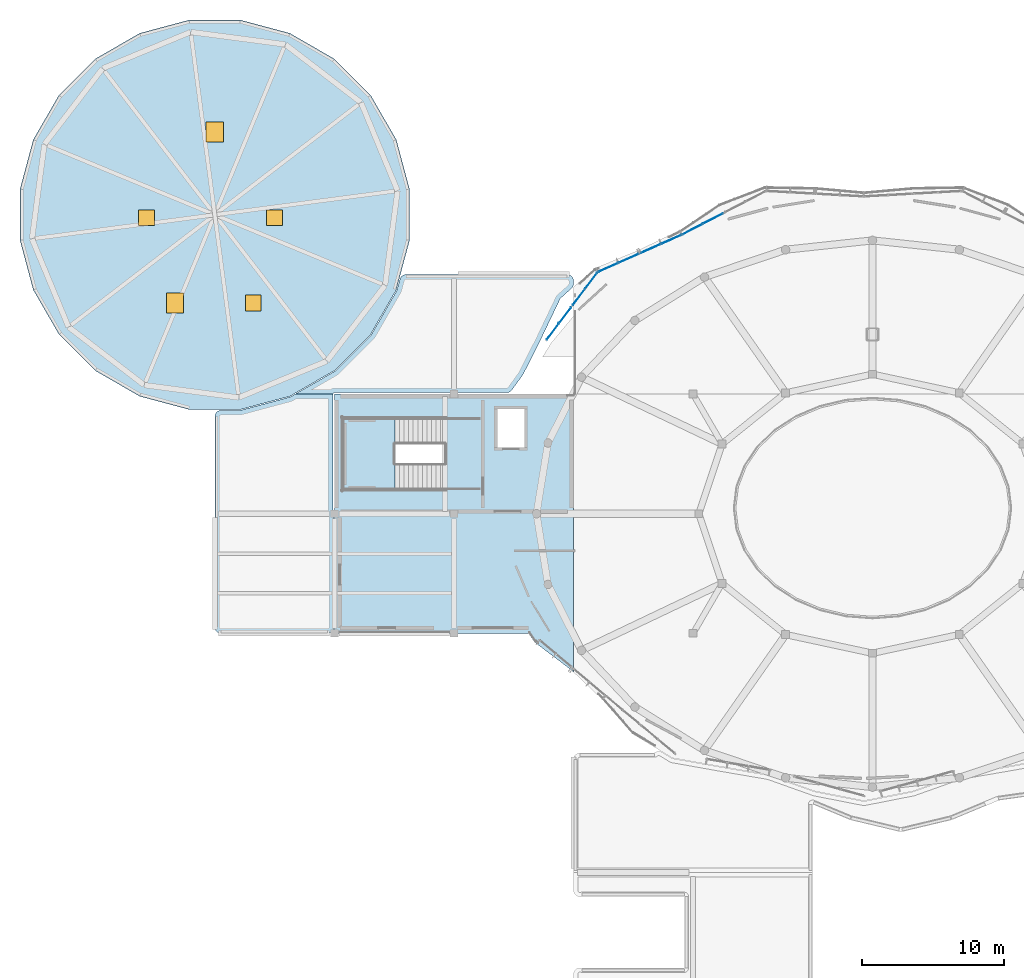
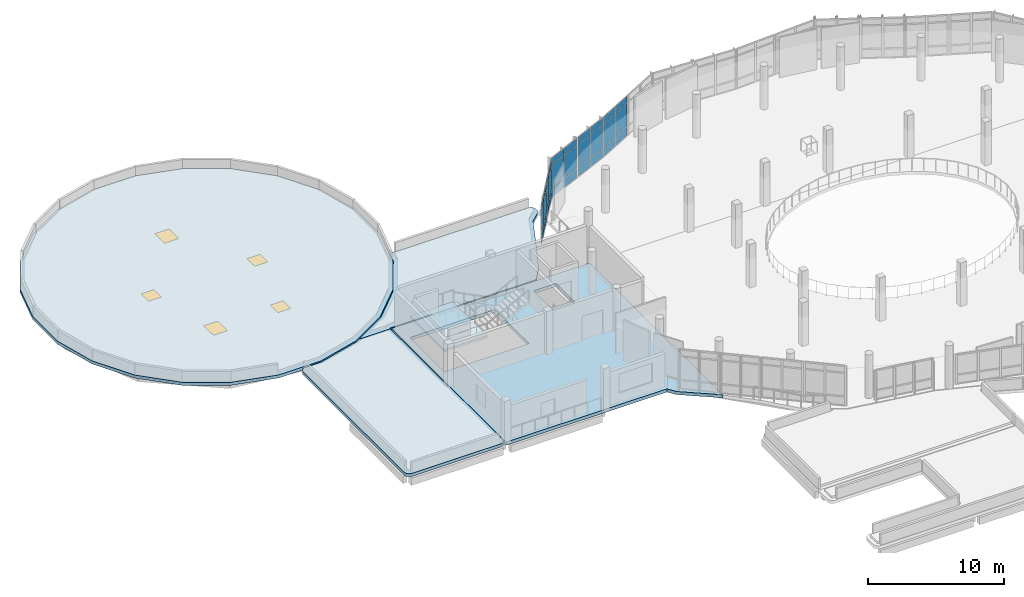
# One storey, part 51 of 74: 30 plates, 5 doors, 5 slabs, 5 openings, 6 elements without a shape of their own.
"""IFC4 building model written with IfcOpenShell, lengths in metres."""

from ifc_helpers import new_model, si_unit, derived_unit, direction, frame, origin, origin_2d, place, context, subcontext, project, spatial, polyline, rectangle, outline, extrude, material, layer, layer_set, type_object, element, fill, aggregate, save


model = new_model("IFC4")

# Units and contexts
model_context = context("Model", 3, precision=1e-05, world=origin(), true_north=direction((0.0, 1.0)))
body_context = subcontext(model_context, "Body", "Model", "MODEL_VIEW")
ifc_project = project(units=[si_unit("LENGTHUNIT", "METRE"), si_unit("AREAUNIT", "SQUARE_METRE"), si_unit("VOLUMEUNIT", "CUBIC_METRE"), si_unit("PLANEANGLEUNIT", "RADIAN"), si_unit("MASSUNIT", "GRAM", prefix="KILO"), derived_unit("THERMALTRANSMITTANCEUNIT", [(si_unit("POWERUNIT", "WATT"), 1), (si_unit("LENGTHUNIT", "METRE"), -2), (si_unit("THERMODYNAMICTEMPERATUREUNIT", "KELVIN"), -1)])], contexts=[model_context])

# Site, building, storey
site_placement = place(None, origin())
site = spatial("IfcSite", under=ifc_project, at=site_placement, CompositionType="ELEMENT")
building_placement = place(site_placement, origin())
building = spatial("IfcBuilding", under=site, at=building_placement, Name="Elbkamm Science Centre", CompositionType="ELEMENT")
storey_placement = place(building_placement, frame((0.0, 0.0, 14.39990234375)))
storey = spatial("IfcBuildingStorey", under=building, at=storey_placement, Name="L03", CompositionType="ELEMENT", Elevation=14.39990234375)

# Curtain wall, plates
ifc_material_1 = material(Name="Powder-coated aluminium and triple low-E glazing", Category="aluminium")
ifc_layer_1 = layer(ifc_material_1, 0.159912109375)
ifc_layer_set_1 = layer_set([ifc_layer_1], Name="Powder-coated aluminium and triple low-E glazing")
curtain_wall_type_1 = type_object("IfcCurtainWallType", Name="CW-UNIT-3280x3620", PredefinedType="USERDEFINED", material=ifc_layer_set_1)
curtain_wall_1_placement = place(storey_placement, origin())
curtain_wall_1 = element("IfcCurtainWall", 1, at=curtain_wall_1_placement, inside=storey, type_object=curtain_wall_type_1, Name="L03 Unitised Curtain Wall 060", ObjectType="UNITISED CURTAIN WALL", PredefinedType="USERDEFINED")
ifc_material_2 = material(Name="Triple solar-control insulated safety glass", Category="glass")
ifc_layer_2 = layer(ifc_material_2, 0.0400390625)
ifc_layer_set_2 = layer_set([ifc_layer_2], Name="Triple solar-control insulated safety glass")
plate_type = type_object("IfcPlateType", Name="CW-PNL-40", PredefinedType="CURTAIN_PANEL", material=ifc_layer_set_2)
plate_1_placement = place(storey_placement, frame((51.7919921875, 87.929931640625, 0.06005859375), z_axis=(0.0, 0.0, 1.0), x_axis=(-0.887363474835, -0.461070562419, 0.0)))
plate_1 = element("IfcPlate", 2, at=plate_1_placement, type_object=plate_type, Name="CW-024 panel 1.1", PredefinedType="CURTAIN_PANEL", context=body_context, shape_type="SweptSolid", body=[
    extrude(rectangle(XDim=1.550537109375, YDim=0.0400390625, at=origin_2d()), origin(), (0.0, 0.0, 1.0), 0.760009765625),
])
plate_2_placement = place(storey_placement, frame((51.7919921875, 87.929931640625, 0.880126953125), z_axis=(0.0, 0.0, 1.0), x_axis=(-0.887363474835, -0.461070562419, 0.0)))
plate_2 = element("IfcPlate", 3, at=plate_2_placement, type_object=plate_type, Name="CW-024 panel 1.2", PredefinedType="CURTAIN_PANEL", context=body_context, shape_type="SweptSolid", body=[
    extrude(rectangle(XDim=1.550537109375, YDim=0.0400390625, at=origin_2d()), origin(), (0.0, 0.0, 1.0), 2.06005859375),
])
plate_3_placement = place(storey_placement, frame((51.7919921875, 87.929931640625, 3.0), z_axis=(0.0, 0.0, 1.0), x_axis=(-0.887363474835, -0.461070562419, 0.0)))
plate_3 = element("IfcPlate", 4, at=plate_3_placement, type_object=plate_type, Name="CW-024 panel 1.3", PredefinedType="CURTAIN_PANEL", context=body_context, shape_type="SweptSolid", body=[
    extrude(rectangle(XDim=1.550537109375, YDim=0.0400390625, at=origin_2d()), origin(), (0.0, 0.0, 1.0), 0.56005859375),
])
plate_4_placement = place(storey_placement, frame((50.363037109375, 87.1875, 0.06005859375), z_axis=(0.0, 0.0, 1.0), x_axis=(-0.887363474835, -0.461070562419, 0.0)))
plate_4 = element("IfcPlate", 5, at=plate_4_placement, type_object=plate_type, Name="CW-024 panel 2.1", PredefinedType="CURTAIN_PANEL", context=body_context, shape_type="SweptSolid", body=[
    extrude(rectangle(XDim=1.550537109375, YDim=0.0400390625, at=origin_2d()), origin(), (0.0, 0.0, 1.0), 0.760009765625),
])
plate_5_placement = place(storey_placement, frame((50.363037109375, 87.1875, 0.880126953125), z_axis=(0.0, 0.0, 1.0), x_axis=(-0.887363474835, -0.461070562419, 0.0)))
plate_5 = element("IfcPlate", 6, at=plate_5_placement, type_object=plate_type, Name="CW-024 panel 2.2", PredefinedType="CURTAIN_PANEL", context=body_context, shape_type="SweptSolid", body=[
    extrude(rectangle(XDim=1.550537109375, YDim=0.0400390625, at=origin_2d()), origin(), (0.0, 0.0, 1.0), 2.06005859375),
])
plate_6_placement = place(storey_placement, frame((50.363037109375, 87.1875, 3.0), z_axis=(0.0, 0.0, 1.0), x_axis=(-0.887363474835, -0.461070562419, 0.0)))
plate_6 = element("IfcPlate", 7, at=plate_6_placement, type_object=plate_type, Name="CW-024 panel 2.3", PredefinedType="CURTAIN_PANEL", context=body_context, shape_type="SweptSolid", body=[
    extrude(rectangle(XDim=1.550537109375, YDim=0.0400390625, at=origin_2d()), origin(), (0.0, 0.0, 1.0), 0.56005859375),
])
aggregate(curtain_wall_1, [plate_1, plate_2, plate_3, plate_4, plate_5, plate_6])

ifc_layer_3 = layer(ifc_material_1, 0.159912109375)
ifc_layer_set_3 = layer_set([ifc_layer_3], Name="Powder-coated aluminium and triple low-E glazing")
curtain_wall_type_2 = type_object("IfcCurtainWallType", Name="CW-UNIT-3200x3620", PredefinedType="USERDEFINED", material=ifc_layer_set_3)
curtain_wall_2_placement = place(storey_placement, origin())
curtain_wall_2 = element("IfcCurtainWall", 8, at=curtain_wall_2_placement, inside=storey, type_object=curtain_wall_type_2, Name="L03 Unitised Curtain Wall 061", ObjectType="UNITISED CURTAIN WALL", PredefinedType="USERDEFINED")
plate_7_placement = place(storey_placement, frame((48.87646484375, 86.47119140625, 0.06005859375), z_axis=(0.0, 0.0, 1.0), x_axis=(-0.913897796614, -0.405944352522, 0.0)))
plate_7 = element("IfcPlate", 9, at=plate_7_placement, type_object=plate_type, Name="CW-023 panel 1.1", PredefinedType="CURTAIN_PANEL", context=body_context, shape_type="SweptSolid", body=[
    extrude(rectangle(XDim=1.51123046875, YDim=0.0400390625, at=origin_2d()), origin(), (0.0, 0.0, 1.0), 0.760009765625),
])
plate_8_placement = place(storey_placement, frame((48.87646484375, 86.47119140625, 0.880126953125), z_axis=(0.0, 0.0, 1.0), x_axis=(-0.913897796614, -0.405944352522, 0.0)))
plate_8 = element("IfcPlate", 10, at=plate_8_placement, type_object=plate_type, Name="CW-023 panel 1.2", PredefinedType="CURTAIN_PANEL", context=body_context, shape_type="SweptSolid", body=[
    extrude(rectangle(XDim=1.51123046875, YDim=0.0400390625, at=origin_2d()), origin(), (0.0, 0.0, 1.0), 2.06005859375),
])
plate_9_placement = place(storey_placement, frame((48.87646484375, 86.47119140625, 3.0), z_axis=(0.0, 0.0, 1.0), x_axis=(-0.913897796614, -0.405944352522, 0.0)))
plate_9 = element("IfcPlate", 11, at=plate_9_placement, type_object=plate_type, Name="CW-023 panel 1.3", PredefinedType="CURTAIN_PANEL", context=body_context, shape_type="SweptSolid", body=[
    extrude(rectangle(XDim=1.51123046875, YDim=0.0400390625, at=origin_2d()), origin(), (0.0, 0.0, 1.0), 0.56005859375),
])
plate_10_placement = place(storey_placement, frame((47.4404296875, 85.833251953125, 0.06005859375), z_axis=(0.0, 0.0, 1.0), x_axis=(-0.913897796614, -0.405944352522, 0.0)))
plate_10 = element("IfcPlate", 12, at=plate_10_placement, type_object=plate_type, Name="CW-023 panel 2.1", PredefinedType="CURTAIN_PANEL", context=body_context, shape_type="SweptSolid", body=[
    extrude(rectangle(XDim=1.51123046875, YDim=0.0400390625, at=origin_2d()), origin(), (0.0, 0.0, 1.0), 0.760009765625),
])
plate_11_placement = place(storey_placement, frame((47.4404296875, 85.833251953125, 0.880126953125), z_axis=(0.0, 0.0, 1.0), x_axis=(-0.913897796614, -0.405944352522, 0.0)))
plate_11 = element("IfcPlate", 13, at=plate_11_placement, type_object=plate_type, Name="CW-023 panel 2.2", PredefinedType="CURTAIN_PANEL", context=body_context, shape_type="SweptSolid", body=[
    extrude(rectangle(XDim=1.51123046875, YDim=0.0400390625, at=origin_2d()), origin(), (0.0, 0.0, 1.0), 2.06005859375),
])
plate_12_placement = place(storey_placement, frame((47.4404296875, 85.833251953125, 3.0), z_axis=(0.0, 0.0, 1.0), x_axis=(-0.913897796614, -0.405944352522, 0.0)))
plate_12 = element("IfcPlate", 14, at=plate_12_placement, type_object=plate_type, Name="CW-023 panel 2.3", PredefinedType="CURTAIN_PANEL", context=body_context, shape_type="SweptSolid", body=[
    extrude(rectangle(XDim=1.51123046875, YDim=0.0400390625, at=origin_2d()), origin(), (0.0, 0.0, 1.0), 0.56005859375),
])
aggregate(curtain_wall_2, [plate_7, plate_8, plate_9, plate_10, plate_11, plate_12])

curtain_wall_3_placement = place(storey_placement, origin())
curtain_wall_3 = element("IfcCurtainWall", 15, at=curtain_wall_3_placement, inside=storey, type_object=curtain_wall_type_2, Name="L03 Unitised Curtain Wall 062", ObjectType="UNITISED CURTAIN WALL", PredefinedType="USERDEFINED")
plate_13_placement = place(storey_placement, frame((45.87646484375, 85.138671875, 0.06005859375), z_axis=(0.0, 0.0, 1.0), x_axis=(-0.913897796614, -0.405944352522, 0.0)))
plate_13 = element("IfcPlate", 16, at=plate_13_placement, type_object=plate_type, Name="CW-023 panel 1.1", PredefinedType="CURTAIN_PANEL", context=body_context, shape_type="SweptSolid", body=[
    extrude(rectangle(XDim=1.51123046875, YDim=0.0400390625, at=origin_2d()), origin(), (0.0, 0.0, 1.0), 0.760009765625),
])
plate_14_placement = place(storey_placement, frame((45.87646484375, 85.138671875, 0.880126953125), z_axis=(0.0, 0.0, 1.0), x_axis=(-0.913897796614, -0.405944352522, 0.0)))
plate_14 = element("IfcPlate", 17, at=plate_14_placement, type_object=plate_type, Name="CW-023 panel 1.2", PredefinedType="CURTAIN_PANEL", context=body_context, shape_type="SweptSolid", body=[
    extrude(rectangle(XDim=1.51123046875, YDim=0.0400390625, at=origin_2d()), origin(), (0.0, 0.0, 1.0), 2.06005859375),
])
plate_15_placement = place(storey_placement, frame((45.87646484375, 85.138671875, 3.0), z_axis=(0.0, 0.0, 1.0), x_axis=(-0.913897796614, -0.405944352522, 0.0)))
plate_15 = element("IfcPlate", 18, at=plate_15_placement, type_object=plate_type, Name="CW-023 panel 1.3", PredefinedType="CURTAIN_PANEL", context=body_context, shape_type="SweptSolid", body=[
    extrude(rectangle(XDim=1.51123046875, YDim=0.0400390625, at=origin_2d()), origin(), (0.0, 0.0, 1.0), 0.56005859375),
])
plate_16_placement = place(storey_placement, frame((44.4404296875, 84.500732421875, 0.06005859375), z_axis=(0.0, 0.0, 1.0), x_axis=(-0.913897796614, -0.405944352522, 0.0)))
plate_16 = element("IfcPlate", 19, at=plate_16_placement, type_object=plate_type, Name="CW-023 panel 2.1", PredefinedType="CURTAIN_PANEL", context=body_context, shape_type="SweptSolid", body=[
    extrude(rectangle(XDim=1.51123046875, YDim=0.0400390625, at=origin_2d()), origin(), (0.0, 0.0, 1.0), 0.760009765625),
])
plate_17_placement = place(storey_placement, frame((44.4404296875, 84.500732421875, 0.880126953125), z_axis=(0.0, 0.0, 1.0), x_axis=(-0.913897796614, -0.405944352522, 0.0)))
plate_17 = element("IfcPlate", 20, at=plate_17_placement, type_object=plate_type, Name="CW-023 panel 2.2", PredefinedType="CURTAIN_PANEL", context=body_context, shape_type="SweptSolid", body=[
    extrude(rectangle(XDim=1.51123046875, YDim=0.0400390625, at=origin_2d()), origin(), (0.0, 0.0, 1.0), 2.06005859375),
])
plate_18_placement = place(storey_placement, frame((44.4404296875, 84.500732421875, 3.0), z_axis=(0.0, 0.0, 1.0), x_axis=(-0.913897796614, -0.405944352522, 0.0)))
plate_18 = element("IfcPlate", 21, at=plate_18_placement, type_object=plate_type, Name="CW-023 panel 2.3", PredefinedType="CURTAIN_PANEL", context=body_context, shape_type="SweptSolid", body=[
    extrude(rectangle(XDim=1.51123046875, YDim=0.0400390625, at=origin_2d()), origin(), (0.0, 0.0, 1.0), 0.56005859375),
])
aggregate(curtain_wall_3, [plate_13, plate_14, plate_15, plate_16, plate_17, plate_18])

ifc_layer_4 = layer(ifc_material_1, 0.159912109375)
ifc_layer_set_4 = layer_set([ifc_layer_4], Name="Powder-coated aluminium and triple low-E glazing")
curtain_wall_type_3 = type_object("IfcCurtainWallType", Name="CW-UNIT-2960x3620", PredefinedType="USERDEFINED", material=ifc_layer_set_4)
curtain_wall_4_placement = place(storey_placement, origin())
curtain_wall_4 = element("IfcCurtainWall", 22, at=curtain_wall_4_placement, inside=storey, type_object=curtain_wall_type_3, Name="L03 Unitised Curtain Wall 063", ObjectType="UNITISED CURTAIN WALL", PredefinedType="USERDEFINED")
plate_19_placement = place(storey_placement, frame((43.240966796875, 83.567138671875, 0.06005859375), z_axis=(0.0, 0.0, 1.0), x_axis=(-0.601881182445, -0.798585651148, 0.0)))
plate_19 = element("IfcPlate", 23, at=plate_19_placement, type_object=plate_type, Name="CW-022 panel 1.1", PredefinedType="CURTAIN_PANEL", context=body_context, shape_type="SweptSolid", body=[
    extrude(rectangle(XDim=1.388671875, YDim=0.0400390625, at=origin_2d()), origin(), (0.0, 0.0, 1.0), 0.760009765625),
])
plate_20_placement = place(storey_placement, frame((43.240966796875, 83.567138671875, 0.880126953125), z_axis=(0.0, 0.0, 1.0), x_axis=(-0.601881182445, -0.798585651148, 0.0)))
plate_20 = element("IfcPlate", 24, at=plate_20_placement, type_object=plate_type, Name="CW-022 panel 1.2", PredefinedType="CURTAIN_PANEL", context=body_context, shape_type="SweptSolid", body=[
    extrude(rectangle(XDim=1.388671875, YDim=0.0400390625, at=origin_2d()), origin(), (0.0, 0.0, 1.0), 2.06005859375),
])
plate_21_placement = place(storey_placement, frame((43.240966796875, 83.567138671875, 3.0), z_axis=(0.0, 0.0, 1.0), x_axis=(-0.601881182445, -0.798585651148, 0.0)))
plate_21 = element("IfcPlate", 25, at=plate_21_placement, type_object=plate_type, Name="CW-022 panel 1.3", PredefinedType="CURTAIN_PANEL", context=body_context, shape_type="SweptSolid", body=[
    extrude(rectangle(XDim=1.388671875, YDim=0.0400390625, at=origin_2d()), origin(), (0.0, 0.0, 1.0), 0.56005859375),
])
plate_22_placement = place(storey_placement, frame((42.368896484375, 82.410400390625, 0.06005859375), z_axis=(0.0, 0.0, 1.0), x_axis=(-0.601881182445, -0.798585651148, 0.0)))
plate_22 = element("IfcPlate", 26, at=plate_22_placement, type_object=plate_type, Name="CW-022 panel 2.1", PredefinedType="CURTAIN_PANEL", context=body_context, shape_type="SweptSolid", body=[
    extrude(rectangle(XDim=1.388671875, YDim=0.0400390625, at=origin_2d()), origin(), (0.0, 0.0, 1.0), 0.760009765625),
])
plate_23_placement = place(storey_placement, frame((42.368896484375, 82.410400390625, 0.880126953125), z_axis=(0.0, 0.0, 1.0), x_axis=(-0.601881182445, -0.798585651148, 0.0)))
plate_23 = element("IfcPlate", 27, at=plate_23_placement, type_object=plate_type, Name="CW-022 panel 2.2", PredefinedType="CURTAIN_PANEL", context=body_context, shape_type="SweptSolid", body=[
    extrude(rectangle(XDim=1.388671875, YDim=0.0400390625, at=origin_2d()), origin(), (0.0, 0.0, 1.0), 2.06005859375),
])
plate_24_placement = place(storey_placement, frame((42.368896484375, 82.410400390625, 3.0), z_axis=(0.0, 0.0, 1.0), x_axis=(-0.601881182445, -0.798585651148, 0.0)))
plate_24 = element("IfcPlate", 28, at=plate_24_placement, type_object=plate_type, Name="CW-022 panel 2.3", PredefinedType="CURTAIN_PANEL", context=body_context, shape_type="SweptSolid", body=[
    extrude(rectangle(XDim=1.388671875, YDim=0.0400390625, at=origin_2d()), origin(), (0.0, 0.0, 1.0), 0.56005859375),
])
aggregate(curtain_wall_4, [plate_19, plate_20, plate_21, plate_22, plate_23, plate_24])

curtain_wall_5_placement = place(storey_placement, origin())
curtain_wall_5 = element("IfcCurtainWall", 29, at=curtain_wall_5_placement, inside=storey, type_object=curtain_wall_type_3, Name="L03 Unitised Curtain Wall 064", ObjectType="UNITISED CURTAIN WALL", PredefinedType="USERDEFINED")
plate_25_placement = place(storey_placement, frame((41.412841796875, 81.1416015625, 0.06005859375), z_axis=(0.0, 0.0, 1.0), x_axis=(-0.601881182445, -0.798585651148, 0.0)))
plate_25 = element("IfcPlate", 30, at=plate_25_placement, type_object=plate_type, Name="CW-022 panel 1.1", PredefinedType="CURTAIN_PANEL", context=body_context, shape_type="SweptSolid", body=[
    extrude(rectangle(XDim=1.388671875, YDim=0.0400390625, at=origin_2d()), origin(), (0.0, 0.0, 1.0), 0.760009765625),
])
plate_26_placement = place(storey_placement, frame((41.412841796875, 81.1416015625, 0.880126953125), z_axis=(0.0, 0.0, 1.0), x_axis=(-0.601881182445, -0.798585651148, 0.0)))
plate_26 = element("IfcPlate", 31, at=plate_26_placement, type_object=plate_type, Name="CW-022 panel 1.2", PredefinedType="CURTAIN_PANEL", context=body_context, shape_type="SweptSolid", body=[
    extrude(rectangle(XDim=1.388671875, YDim=0.0400390625, at=origin_2d()), origin(), (0.0, 0.0, 1.0), 2.06005859375),
])
plate_27_placement = place(storey_placement, frame((41.412841796875, 81.1416015625, 3.0), z_axis=(0.0, 0.0, 1.0), x_axis=(-0.601881182445, -0.798585651148, 0.0)))
plate_27 = element("IfcPlate", 32, at=plate_27_placement, type_object=plate_type, Name="CW-022 panel 1.3", PredefinedType="CURTAIN_PANEL", context=body_context, shape_type="SweptSolid", body=[
    extrude(rectangle(XDim=1.388671875, YDim=0.0400390625, at=origin_2d()), origin(), (0.0, 0.0, 1.0), 0.56005859375),
])
plate_28_placement = place(storey_placement, frame((40.541015625, 79.98486328125, 0.06005859375), z_axis=(0.0, 0.0, 1.0), x_axis=(-0.601881182445, -0.798585651148, 0.0)))
plate_28 = element("IfcPlate", 33, at=plate_28_placement, type_object=plate_type, Name="CW-022 panel 2.1", PredefinedType="CURTAIN_PANEL", context=body_context, shape_type="SweptSolid", body=[
    extrude(rectangle(XDim=1.388671875, YDim=0.0400390625, at=origin_2d()), origin(), (0.0, 0.0, 1.0), 0.760009765625),
])
plate_29_placement = place(storey_placement, frame((40.541015625, 79.98486328125, 0.880126953125), z_axis=(0.0, 0.0, 1.0), x_axis=(-0.601881182445, -0.798585651148, 0.0)))
plate_29 = element("IfcPlate", 34, at=plate_29_placement, type_object=plate_type, Name="CW-022 panel 2.2", PredefinedType="CURTAIN_PANEL", context=body_context, shape_type="SweptSolid", body=[
    extrude(rectangle(XDim=1.388671875, YDim=0.0400390625, at=origin_2d()), origin(), (0.0, 0.0, 1.0), 2.06005859375),
])
plate_30_placement = place(storey_placement, frame((40.541015625, 79.98486328125, 3.0), z_axis=(0.0, 0.0, 1.0), x_axis=(-0.601881182445, -0.798585651148, 0.0)))
plate_30 = element("IfcPlate", 35, at=plate_30_placement, type_object=plate_type, Name="CW-022 panel 2.3", PredefinedType="CURTAIN_PANEL", context=body_context, shape_type="SweptSolid", body=[
    extrude(rectangle(XDim=1.388671875, YDim=0.0400390625, at=origin_2d()), origin(), (0.0, 0.0, 1.0), 0.56005859375),
])
aggregate(curtain_wall_5, [plate_25, plate_26, plate_27, plate_28, plate_29, plate_30])

# Slab
ifc_material_3 = material(Name="Reinforced concrete C40/50", Category="concrete")
ifc_layer_5 = layer(ifc_material_3, 0.280029296875)
ifc_layer_set_5 = layer_set([ifc_layer_5], Name="Reinforced concrete C40/50")
slab_type_1 = type_object("IfcSlabType", Name="SLAB-FLR-280", PredefinedType="FLOOR", material=ifc_layer_set_5)
slab_1_placement = place(storey_placement, frame((0.0, 0.0, -0.27978515625)))
element("IfcSlab", 36, at=slab_1_placement, inside=storey, type_object=slab_type_1, Name="L03 Structural Slab WM-01", PredefinedType="FLOOR", context=body_context, shape_type="SweptSolid", body=[
    extrude(outline(polyline([(41.814208984375, 56.247802734375), (39.2900390625, 58.157470703125), (38.826904296875, 58.800048828125), (25.199951171875, 58.800048828125), (25.199951171875, 67.199951171875), (25.199951171875, 75.60009765625), (37.4951171875, 75.60009765625), (42.0, 75.60009765625), (42.0, 56.071044921875), (41.814208984375, 56.247802734375)]), holes=[polyline([(25.800048828125, 68.8798828125), (32.97998046875, 68.8798828125), (32.97998046875, 73.919921875), (25.800048828125, 73.919921875), (25.800048828125, 68.8798828125)]), polyline([(36.64990234375, 71.85009765625), (38.550048828125, 71.85009765625), (38.550048828125, 74.550048828125), (36.64990234375, 74.550048828125), (36.64990234375, 71.85009765625)])]), origin(), (0.0, 0.0, 1.0), 0.27978515625),
])

# Stair, slab
stair_type = type_object("IfcStairType", Name="ST-TWO-24R-182", PredefinedType="USERDEFINED", material=ifc_material_3)
stair_placement = place(storey_placement, origin())
stair = element("IfcStair", 37, at=stair_placement, inside=storey, type_object=stair_type, Name="L03 Core C1 Northwest Planetarium and Exhibition Core Escape Stair", ObjectType="TWO_RETURN_STAIR", PredefinedType="USERDEFINED")
ifc_layer_6 = layer(ifc_material_3, 0.199951171875)
ifc_layer_set_6 = layer_set([ifc_layer_6], Name="Reinforced concrete C40/50")
slab_type_2 = type_object("IfcSlabType", Name="SLAB-LAND-200", PredefinedType="LANDING", material=ifc_layer_set_6)
slab_2_placement = place(storey_placement, frame((0.0, 0.0, 1.75)))
slab_2 = element("IfcSlab", 38, at=slab_2_placement, type_object=slab_type_2, Name="ST-C1 landing 1", PredefinedType="LANDING", context=body_context, shape_type="SweptSolid", body=[
    extrude(outline(polyline([(29.4599609375, 73.919921875), (25.800048828125, 73.919921875), (25.800048828125, 68.8798828125), (29.4599609375, 68.8798828125), (29.4599609375, 73.919921875)])), origin(), (0.0, 0.0, 1.0), 0.2001953125),
])
aggregate(stair, [slab_2])

# Slab, openings, doors
ifc_layer_7 = layer(ifc_material_3, 0.27001953125)
ifc_layer_set_7 = layer_set([ifc_layer_7], Name="Reinforced concrete C40/50")
slab_type_3 = type_object("IfcSlabType", Name="SLAB-ROOF-270", PredefinedType="ROOF", material=ifc_layer_set_7)
slab_3_placement = place(storey_placement, frame((0.0, 0.0, -0.2099609375)))
slab_3 = element("IfcSlab", 39, at=slab_3_placement, inside=storey, type_object=slab_type_3, Name="Planetarium Drum Acoustic Green Roof Slab", PredefinedType="ROOF", context=body_context, shape_type="SweptSolid", body=[
    extrude(outline(polyline([(30.48193359375, 86.398681640625), (29.549560546875, 82.9189453125), (27.748291015625, 79.799072265625), (25.200927734375, 77.251708984375), (22.0810546875, 75.450439453125), (18.601318359375, 74.51806640625), (14.998779296875, 74.51806640625), (11.51904296875, 75.450439453125), (8.399169921875, 77.251708984375), (5.851806640625, 79.799072265625), (4.050537109375, 82.9189453125), (3.1181640625, 86.398681640625), (3.1181640625, 90.001220703125), (4.050537109375, 93.48095703125), (5.851806640625, 96.600830078125), (8.399169921875, 99.148193359375), (11.51904296875, 100.949462890625), (14.998779296875, 101.8818359375), (18.601318359375, 101.8818359375), (22.0810546875, 100.949462890625), (25.200927734375, 99.148193359375), (27.748291015625, 96.600830078125), (29.549560546875, 93.48095703125), (30.48193359375, 90.001220703125), (30.48193359375, 86.398681640625)])), origin(), (0.0, 0.0, 1.0), 0.27001953125),
])
opening_1_placement = place(slab_3_placement, frame((12.0, 88.0, -0.011962890625)))
opening_1 = element("IfcOpeningElement", 40, at=opening_1_placement, cuts=slab_3, Name="Opening RH-01", PredefinedType="OPENING", context=body_context, shape_type="SweptSolid", body=[
    extrude(rectangle(XDim=1.10009765625, YDim=1.10009765625, at=origin_2d()), origin(), (0.0, 0.0, 1.0), 0.2939453125),
])
opening_2_placement = place(slab_3_placement, frame((16.800048828125, 94.0, -0.011962890625)))
opening_2 = element("IfcOpeningElement", 41, at=opening_2_placement, cuts=slab_3, Name="Opening RH-02", PredefinedType="OPENING", context=body_context, shape_type="SweptSolid", body=[
    extrude(rectangle(XDim=1.199951171875, YDim=1.39990234375, at=origin_2d()), origin(), (0.0, 0.0, 1.0), 0.2939453125),
])
opening_3_placement = place(slab_3_placement, frame((21.0, 88.0, -0.011962890625)))
opening_3 = element("IfcOpeningElement", 42, at=opening_3_placement, cuts=slab_3, Name="Opening RH-01", PredefinedType="OPENING", context=body_context, shape_type="SweptSolid", body=[
    extrude(rectangle(XDim=1.10009765625, YDim=1.10009765625, at=origin_2d()), origin(), (0.0, 0.0, 1.0), 0.2939453125),
])
opening_4_placement = place(slab_3_placement, frame((14.0, 82.0, -0.011962890625)))
opening_4 = element("IfcOpeningElement", 43, at=opening_4_placement, cuts=slab_3, Name="Opening RH-02", PredefinedType="OPENING", context=body_context, shape_type="SweptSolid", body=[
    extrude(rectangle(XDim=1.199951171875, YDim=1.39990234375, at=origin_2d()), origin(), (0.0, 0.0, 1.0), 0.2939453125),
])
opening_5_placement = place(slab_3_placement, frame((19.5, 82.0, -0.011962890625)))
opening_5 = element("IfcOpeningElement", 44, at=opening_5_placement, cuts=slab_3, Name="Opening RH-01", PredefinedType="OPENING", context=body_context, shape_type="SweptSolid", body=[
    extrude(rectangle(XDim=1.10009765625, YDim=1.10009765625, at=origin_2d()), origin(), (0.0, 0.0, 1.0), 0.2939453125),
])
ifc_material_4 = material(Name="Insulated aluminium roof hatch", Category="aluminium")
ifc_layer_8 = layer(ifc_material_4, 0.050048828125)
ifc_layer_set_8 = layer_set([ifc_layer_8], Name="Insulated aluminium roof hatch")
door_type_1 = type_object("IfcDoorType", Name="DR-HATCH-1100x1100", OperationType="SINGLE_SWING_LEFT", PredefinedType="TRAPDOOR", material=ifc_layer_set_8)
door_1_placement = place(opening_1_placement, frame((0.0, 0.0, 0.23193359375)))
door_1 = element("IfcDoor", 45, at=door_1_placement, inside=storey, type_object=door_type_1, Name="Drum Roof Maintenance Hatch 01", OperationType="SINGLE_SWING_LEFT", OverallHeight=1.10009765625, OverallWidth=1.10009765625, PredefinedType="TRAPDOOR", context=body_context, shape_type="SweptSolid", body=[
    extrude(rectangle(XDim=1.10009765625, YDim=1.10009765625, at=origin_2d()), origin(), (0.0, 0.0, 1.0), 0.050048828125),
])
fill(opening_1, door_1)
door_2_placement = place(opening_3_placement, frame((0.0, 0.0, 0.23193359375)))
door_2 = element("IfcDoor", 46, at=door_2_placement, inside=storey, type_object=door_type_1, Name="Drum Roof Maintenance Hatch 03", OperationType="SINGLE_SWING_LEFT", OverallHeight=1.10009765625, OverallWidth=1.10009765625, PredefinedType="TRAPDOOR", context=body_context, shape_type="SweptSolid", body=[
    extrude(rectangle(XDim=1.10009765625, YDim=1.10009765625, at=origin_2d()), origin(), (0.0, 0.0, 1.0), 0.050048828125),
])
fill(opening_3, door_2)
door_3_placement = place(opening_5_placement, frame((0.0, 0.0, 0.23193359375)))
door_3 = element("IfcDoor", 47, at=door_3_placement, inside=storey, type_object=door_type_1, Name="Drum Roof Maintenance Hatch 05", OperationType="SINGLE_SWING_LEFT", OverallHeight=1.10009765625, OverallWidth=1.10009765625, PredefinedType="TRAPDOOR", context=body_context, shape_type="SweptSolid", body=[
    extrude(rectangle(XDim=1.10009765625, YDim=1.10009765625, at=origin_2d()), origin(), (0.0, 0.0, 1.0), 0.050048828125),
])
fill(opening_5, door_3)
ifc_layer_9 = layer(ifc_material_4, 0.050048828125)
ifc_layer_set_9 = layer_set([ifc_layer_9], Name="Insulated aluminium roof hatch")
door_type_2 = type_object("IfcDoorType", Name="DR-HATCH-1200x1400", OperationType="SINGLE_SWING_LEFT", PredefinedType="TRAPDOOR", material=ifc_layer_set_9)
door_4_placement = place(opening_2_placement, frame((0.0, 0.0, 0.23193359375)))
door_4 = element("IfcDoor", 48, at=door_4_placement, inside=storey, type_object=door_type_2, Name="Drum Roof Maintenance Hatch 02", OperationType="SINGLE_SWING_LEFT", OverallHeight=1.39990234375, OverallWidth=1.199951171875, PredefinedType="TRAPDOOR", context=body_context, shape_type="SweptSolid", body=[
    extrude(rectangle(XDim=1.199951171875, YDim=1.39990234375, at=origin_2d()), origin(), (0.0, 0.0, 1.0), 0.050048828125),
])
fill(opening_2, door_4)
door_5_placement = place(opening_4_placement, frame((0.0, 0.0, 0.23193359375)))
door_5 = element("IfcDoor", 49, at=door_5_placement, inside=storey, type_object=door_type_2, Name="Drum Roof Maintenance Hatch 04", OperationType="SINGLE_SWING_LEFT", OverallHeight=1.39990234375, OverallWidth=1.199951171875, PredefinedType="TRAPDOOR", context=body_context, shape_type="SweptSolid", body=[
    extrude(rectangle(XDim=1.199951171875, YDim=1.39990234375, at=origin_2d()), origin(), (0.0, 0.0, 1.0), 0.050048828125),
])
fill(opening_4, door_5)

# Slabs
slab_4_placement = place(storey_placement, frame((0.0, 0.0, -0.27001953125)))
element("IfcSlab", 50, at=slab_4_placement, inside=storey, type_object=slab_type_3, Name="L03 Step-Back Roof Slab 01", PredefinedType="ROOF", context=body_context, shape_type="SweptSolid", body=[
    extrude(outline(polyline([(25.150634765625, 67.06298828125), (25.161376953125, 67.020263671875), (25.167724609375, 66.9765625), (25.169921875, 66.932373046875), (25.169921875, 59.25), (25.167724609375, 59.205810546875), (25.161376953125, 59.162109375), (25.150634765625, 59.119384765625), (25.1357421875, 59.077880859375), (25.116943359375, 59.037841796875), (25.09423828125, 59.0), (25.06787109375, 58.964599609375), (25.0380859375, 58.931884765625), (25.005615234375, 58.902099609375), (24.969970703125, 58.875732421875), (24.93212890625, 58.85302734375), (24.89208984375, 58.834228515625), (24.8505859375, 58.8193359375), (24.807861328125, 58.80859375), (24.76416015625, 58.80224609375), (24.719970703125, 58.800048828125), (17.25, 58.800048828125), (17.205810546875, 58.80224609375), (17.162109375, 58.80859375), (17.119384765625, 58.8193359375), (17.077880859375, 58.834228515625), (17.037841796875, 58.85302734375), (17.0, 58.875732421875), (16.964599609375, 58.902099609375), (16.931884765625, 58.931884765625), (16.902099609375, 58.964599609375), (16.875732421875, 59.0), (16.85302734375, 59.037841796875), (16.834228515625, 59.077880859375), (16.8193359375, 59.119384765625), (16.80859375, 59.162109375), (16.80224609375, 59.205810546875), (16.800048828125, 59.25), (16.800048828125, 74.01806640625), (16.80224609375, 74.062255859375), (16.80859375, 74.10595703125), (16.8193359375, 74.148681640625), (16.834228515625, 74.190185546875), (16.85302734375, 74.230224609375), (16.875732421875, 74.26806640625), (16.902099609375, 74.3037109375), (16.931884765625, 74.336181640625), (16.964599609375, 74.365966796875), (17.0, 74.392333984375), (17.037841796875, 74.4150390625), (17.077880859375, 74.433837890625), (17.119384765625, 74.44873046875), (17.162109375, 74.45947265625), (17.205810546875, 74.4658203125), (17.25, 74.468017578125), (18.596435546875, 74.468017578125), (18.601318359375, 74.468017578125), (18.605712890625, 74.46826171875), (18.610107421875, 74.468994140625), (18.6142578125, 74.4697265625), (18.619873046875, 74.47119140625), (22.089111328125, 75.40087890625), (22.093994140625, 75.402099609375), (22.09814453125, 75.403564453125), (22.10205078125, 75.4052734375), (22.10595703125, 75.4072265625), (22.111083984375, 75.41015625), (22.43994140625, 75.60009765625), (25.10009765625, 75.60009765625), (25.10009765625, 75.594482421875), (25.10009765625, 67.20556640625), (25.10009765625, 67.199951171875), (25.1005859375, 67.190185546875), (25.101806640625, 67.180419921875), (25.104248046875, 67.1708984375), (25.107666015625, 67.16162109375), (25.11181640625, 67.15283203125), (25.116943359375, 67.144287109375), (25.116943359375, 67.144287109375), (25.1357421875, 67.1044921875), (25.150634765625, 67.06298828125)])), origin(), (0.0, 0.0, 1.0), 0.27001953125),
])
slab_5_placement = place(storey_placement, frame((0.0, 0.0, -0.27001953125)))
element("IfcSlab", 51, at=slab_5_placement, inside=storey, type_object=slab_type_3, Name="L03 Step-Back Roof Slab 02", PredefinedType="ROOF", context=body_context, shape_type="SweptSolid", body=[
    extrude(outline(polyline([(25.2216796875, 77.205810546875), (25.225830078125, 77.20849609375), (25.2294921875, 77.210693359375), (25.23291015625, 77.21337890625), (25.236328125, 77.21630859375), (25.240478515625, 77.220458984375), (26.51025390625, 78.490478515625), (27.7802734375, 79.76025390625), (27.78369140625, 79.763671875), (27.78662109375, 79.76708984375), (27.789306640625, 79.7705078125), (27.79150390625, 79.774169921875), (27.79443359375, 79.779052734375), (29.59033203125, 82.8896484375), (29.5927734375, 82.89404296875), (29.5947265625, 82.89794921875), (29.596435546875, 82.90185546875), (29.597900390625, 82.906005859375), (29.599365234375, 82.91162109375), (29.801513671875, 83.66650390625), (29.8154296875, 83.709716796875), (29.83349609375, 83.751220703125), (29.85595703125, 83.79052734375), (29.882080078125, 83.827392578125), (29.91162109375, 83.86181640625), (29.944580078125, 83.892822265625), (29.980712890625, 83.92041015625), (30.01904296875, 83.944091796875), (30.059814453125, 83.964111328125), (30.102294921875, 83.9794921875), (30.146240234375, 83.990966796875), (30.19091796875, 83.997802734375), (30.236083984375, 84.0), (41.550048828125, 84.0), (41.593994140625, 83.997802734375), (41.6376953125, 83.991455078125), (41.6806640625, 83.980712890625), (41.72216796875, 83.9658203125), (41.76220703125, 83.947021484375), (41.800048828125, 83.92431640625), (41.83544921875, 83.89794921875), (41.8681640625, 83.8681640625), (41.89794921875, 83.83544921875), (41.92431640625, 83.800048828125), (41.947021484375, 83.76220703125), (41.9658203125, 83.72216796875), (41.980712890625, 83.6806640625), (41.991455078125, 83.6376953125), (41.997802734375, 83.593994140625), (42.0, 83.550048828125), (42.0, 83.356201171875), (41.998046875, 83.314208984375), (41.9921875, 83.272705078125), (41.982421875, 83.23193359375), (41.968994140625, 83.1923828125), (41.9521484375, 83.154052734375), (41.931396484375, 83.117431640625), (41.90771484375, 83.0830078125), (41.880615234375, 83.051025390625), (41.850830078125, 83.021484375), (41.080810546875, 82.328857421875), (41.07666015625, 82.3251953125), (41.07470703125, 82.322998046875), (41.07275390625, 82.32080078125), (41.071044921875, 82.318359375), (41.069580078125, 82.315673828125), (41.06689453125, 82.310302734375), (40.447265625, 81.014404296875), (39.758544921875, 79.574462890625), (39.7548828125, 79.56689453125), (38.486572265625, 77.035888671875), (38.468994140625, 77.004150390625), (38.44921875, 76.97412109375), (37.664794921875, 75.88671875), (37.638427734375, 75.853515625), (37.60888671875, 75.82275390625), (37.57666015625, 75.795166015625), (37.541748046875, 75.7705078125), (37.5048828125, 75.74951171875), (37.466064453125, 75.731689453125), (37.42578125, 75.718017578125), (37.384521484375, 75.7080078125), (37.34228515625, 75.701904296875), (37.2998046875, 75.699951171875), (25.20556640625, 75.699951171875), (25.199951171875, 75.699951171875), (25.190185546875, 75.699462890625), (25.180419921875, 75.697998046875), (25.1708984375, 75.69580078125), (25.16162109375, 75.6923828125), (25.15283203125, 75.688232421875), (25.144287109375, 75.68310546875), (25.13671875, 75.67724609375), (25.12939453125, 75.670654296875), (25.122802734375, 75.663330078125), (25.116943359375, 75.655517578125), (25.11181640625, 75.647216796875), (25.107666015625, 75.63818359375), (25.104248046875, 75.62890625), (25.101806640625, 75.619384765625), (25.1005859375, 75.60986328125), (25.10009765625, 75.60009765625), (22.43994140625, 75.60009765625), (25.2216796875, 77.205810546875)])), origin(), (0.0, 0.0, 1.0), 0.27001953125),
])

save(model, "model.ifc")
